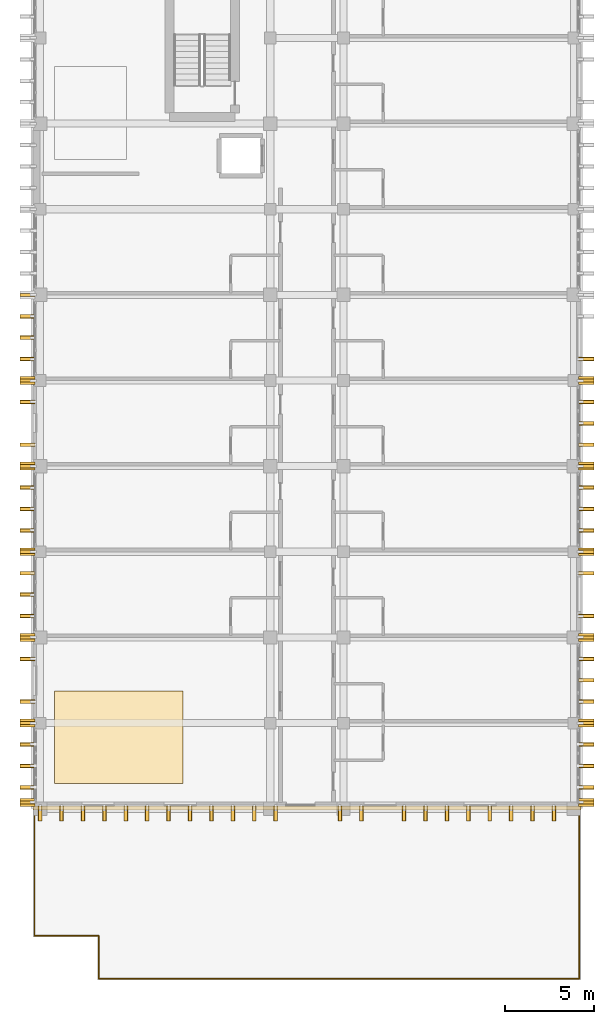
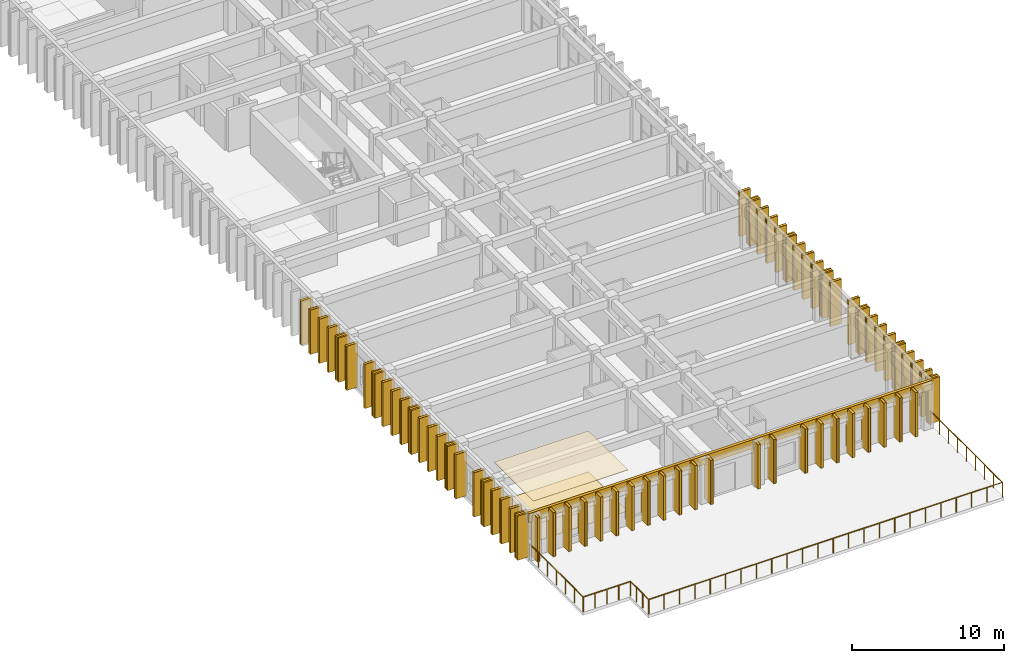
# One storey, part 58 of 64: 68 coverings, 66 shading devices, 1 railing.
"""IFC4 building model written with IfcOpenShell, lengths in metres."""

from ifc_helpers import new_model, si_unit, direction, frame, origin, origin_2d, place, context, subcontext, project, spatial, polyline, rectangle, circle, outline, extrude, material, layer, layer_set, type_object, element, save


model = new_model("IFC4")

# Units and contexts
model_context = context("Model", 3, precision=1e-05, world=origin(), true_north=direction((0.0, 1.0)))
body_context = subcontext(model_context, "Body", "Model", "MODEL_VIEW")
ifc_project = project(units=[si_unit("LENGTHUNIT", "METRE"), si_unit("AREAUNIT", "SQUARE_METRE"), si_unit("VOLUMEUNIT", "CUBIC_METRE"), si_unit("PLANEANGLEUNIT", "RADIAN"), si_unit("MASSUNIT", "GRAM", prefix="KILO")], contexts=[model_context])

# Site, building, storey
site_placement = place(None, origin())
site = spatial("IfcSite", under=ifc_project, at=site_placement, CompositionType="ELEMENT")
building_placement = place(site_placement, origin())
building = spatial("IfcBuilding", under=site, at=building_placement, Name="Nakhvara Creek Congress Hotel", CompositionType="ELEMENT")
storey_placement = place(building_placement, frame((0.0, 0.0, 28.199951171875)))
storey = spatial("IfcBuildingStorey", under=building, at=storey_placement, Name="L06", CompositionType="ELEMENT", Elevation=28.199951171875)

# Coverings
ifc_material_1 = material(Name="Acoustic mineral-fibre and gypsum ceiling board")
ifc_layer_1 = layer(ifc_material_1, 0.0400390625)
ifc_layer_set_1 = layer_set([ifc_layer_1], Name="Acoustic mineral-fibre and gypsum ceiling board")
covering_type_1 = type_object("IfcCoveringType", Name="COV-CEIL-AC", PredefinedType="CEILING", material=ifc_layer_set_1)
covering_1_placement = place(storey_placement, frame((0.0, 0.0, 3.304931640625)))
element("IfcCovering", 1, at=covering_1_placement, inside=storey, type_object=covering_type_1, Name="Acoustic Ceiling L06-LNG-01", PredefinedType="CEILING", context=body_context, shape_type="SweptSolid", body=[
    extrude(outline(polyline([(150.25, 39.800048828125), (157.449951171875, 39.800048828125), (157.449951171875, 45.0), (150.25, 45.0), (150.25, 39.800048828125)])), origin(), (0.0, 0.0, 1.0), 0.03515625),
])
ifc_material_2 = material(Name="Honed pale Omani limestone architectural cladding", Category="masonry")
ifc_layer_2 = layer(ifc_material_2, 0.219970703125)
ifc_layer_set_2 = layer_set([ifc_layer_2], Name="Honed pale Omani limestone architectural cladding")
covering_type_2 = type_object("IfcCoveringType", Name="COV-FIN-850", PredefinedType="CLADDING", material=ifc_layer_set_2)
for number, where, z_axis, x_axis, name in (
    (2, (180.054931640625, 38.75, 0.0), (0.0, 0.0, 1.0), (0.0, 1.0, 0.0), "Pale Limestone Fin Cladding CF01-1620"),
    (3, (148.7451171875, 38.75, 0.0), (0.0, 0.0, 1.0), (0.0, 1.0, 0.0), "Pale Limestone Fin Cladding CF01-1621"),
):
    element("IfcCovering", number, at=place(storey_placement, frame(where, z_axis=z_axis, x_axis=x_axis)), inside=storey, type_object=covering_type_2, Name=name, PredefinedType="CLADDING", context=body_context, shape_type="SweptSolid", body=[
        extrude(rectangle(XDim=0.43994140625, YDim=0.85009765625, at=origin_2d()), origin(), (0.0, 0.0, 1.0), 3.56005859375),
    ])
for number, where, z_axis, x_axis, name in (
    (4, (180.054931640625, 39.60009765625, 0.0), (0.0, 0.0, 1.0), (0.0, 1.0, 0.0), "Pale Limestone Fin Cladding CF01-1622"),
    (5, (148.7451171875, 39.60009765625, 0.0), (0.0, 0.0, 1.0), (0.0, 1.0, 0.0), "Pale Limestone Fin Cladding CF01-1623"),
    (6, (180.054931640625, 40.800048828125, 0.0), (0.0, 0.0, 1.0), (0.0, 1.0, 0.0), "Pale Limestone Fin Cladding CF01-1624"),
    (7, (148.7451171875, 40.800048828125, 0.0), (0.0, 0.0, 1.0), (0.0, 1.0, 0.0), "Pale Limestone Fin Cladding CF01-1625"),
    (8, (180.054931640625, 42.0, 0.0), (0.0, 0.0, 1.0), (0.0, 1.0, 0.0), "Pale Limestone Fin Cladding CF01-1626"),
    (9, (148.7451171875, 42.0, 0.0), (0.0, 0.0, 1.0), (0.0, 1.0, 0.0), "Pale Limestone Fin Cladding CF01-1627"),
):
    element("IfcCovering", number, at=place(storey_placement, frame(where, z_axis=z_axis, x_axis=x_axis)), inside=storey, type_object=covering_type_2, Name=name, PredefinedType="CLADDING", context=body_context, shape_type="SweptSolid", body=[
        extrude(rectangle(XDim=0.219970703125, YDim=0.85009765625, at=origin_2d()), origin(), (0.0, 0.0, 1.0), 3.56005859375),
    ])
for number, where, z_axis, x_axis, name in (
    (10, (180.054931640625, 43.199951171875, 0.0), (0.0, 0.0, 1.0), (0.0, 1.0, 0.0), "Pale Limestone Fin Cladding CF01-1628"),
    (11, (148.7451171875, 43.199951171875, 0.0), (0.0, 0.0, 1.0), (0.0, 1.0, 0.0), "Pale Limestone Fin Cladding CF01-1629"),
):
    element("IfcCovering", number, at=place(storey_placement, frame(where, z_axis=z_axis, x_axis=x_axis)), inside=storey, type_object=covering_type_2, Name=name, PredefinedType="CLADDING", context=body_context, shape_type="SweptSolid", body=[
        extrude(rectangle(XDim=0.43994140625, YDim=0.85009765625, at=origin_2d()), origin(), (0.0, 0.0, 1.0), 3.56005859375),
    ])
for number, where, z_axis, x_axis, name in (
    (12, (180.054931640625, 44.39990234375, 0.0), (0.0, 0.0, 1.0), (0.0, 1.0, 0.0), "Pale Limestone Fin Cladding CF01-1630"),
    (13, (148.7451171875, 44.39990234375, 0.0), (0.0, 0.0, 1.0), (0.0, 1.0, 0.0), "Pale Limestone Fin Cladding CF01-1631"),
    (14, (180.054931640625, 45.60009765625, 0.0), (0.0, 0.0, 1.0), (0.0, 1.0, 0.0), "Pale Limestone Fin Cladding CF01-1632"),
    (15, (180.054931640625, 46.800048828125, 0.0), (0.0, 0.0, 1.0), (0.0, 1.0, 0.0), "Pale Limestone Fin Cladding CF01-1633"),
    (16, (148.7451171875, 46.800048828125, 0.0), (0.0, 0.0, 1.0), (0.0, 1.0, 0.0), "Pale Limestone Fin Cladding CF01-1634"),
):
    element("IfcCovering", number, at=place(storey_placement, frame(where, z_axis=z_axis, x_axis=x_axis)), inside=storey, type_object=covering_type_2, Name=name, PredefinedType="CLADDING", context=body_context, shape_type="SweptSolid", body=[
        extrude(rectangle(XDim=0.219970703125, YDim=0.85009765625, at=origin_2d()), origin(), (0.0, 0.0, 1.0), 3.56005859375),
    ])
for number, where, z_axis, x_axis, name in (
    (17, (180.054931640625, 48.0, 0.0), (0.0, 0.0, 1.0), (0.0, 1.0, 0.0), "Pale Limestone Fin Cladding CF01-1635"),
    (18, (148.7451171875, 48.0, 0.0), (0.0, 0.0, 1.0), (0.0, 1.0, 0.0), "Pale Limestone Fin Cladding CF01-1636"),
):
    element("IfcCovering", number, at=place(storey_placement, frame(where, z_axis=z_axis, x_axis=x_axis)), inside=storey, type_object=covering_type_2, Name=name, PredefinedType="CLADDING", context=body_context, shape_type="SweptSolid", body=[
        extrude(rectangle(XDim=0.43994140625, YDim=0.85009765625, at=origin_2d()), origin(), (0.0, 0.0, 1.0), 3.56005859375),
    ])
for number, where, z_axis, x_axis, name in (
    (19, (180.054931640625, 49.199951171875, 0.0), (0.0, 0.0, 1.0), (0.0, 1.0, 0.0), "Pale Limestone Fin Cladding CF01-1637"),
    (20, (148.7451171875, 49.199951171875, 0.0), (0.0, 0.0, 1.0), (0.0, 1.0, 0.0), "Pale Limestone Fin Cladding CF01-1638"),
    (21, (148.7451171875, 50.39990234375, 0.0), (0.0, 0.0, 1.0), (0.0, 1.0, 0.0), "Pale Limestone Fin Cladding CF01-1639"),
    (22, (180.054931640625, 51.60009765625, 0.0), (0.0, 0.0, 1.0), (0.0, 1.0, 0.0), "Pale Limestone Fin Cladding CF01-1640"),
    (23, (148.7451171875, 51.60009765625, 0.0), (0.0, 0.0, 1.0), (0.0, 1.0, 0.0), "Pale Limestone Fin Cladding CF01-1641"),
):
    element("IfcCovering", number, at=place(storey_placement, frame(where, z_axis=z_axis, x_axis=x_axis)), inside=storey, type_object=covering_type_2, Name=name, PredefinedType="CLADDING", context=body_context, shape_type="SweptSolid", body=[
        extrude(rectangle(XDim=0.219970703125, YDim=0.85009765625, at=origin_2d()), origin(), (0.0, 0.0, 1.0), 3.56005859375),
    ])
for number, where, z_axis, x_axis, name in (
    (24, (180.054931640625, 52.800048828125, 0.0), (0.0, 0.0, 1.0), (0.0, 1.0, 0.0), "Pale Limestone Fin Cladding CF01-1642"),
    (25, (148.7451171875, 52.800048828125, 0.0), (0.0, 0.0, 1.0), (0.0, 1.0, 0.0), "Pale Limestone Fin Cladding CF01-1643"),
):
    element("IfcCovering", number, at=place(storey_placement, frame(where, z_axis=z_axis, x_axis=x_axis)), inside=storey, type_object=covering_type_2, Name=name, PredefinedType="CLADDING", context=body_context, shape_type="SweptSolid", body=[
        extrude(rectangle(XDim=0.43994140625, YDim=0.85009765625, at=origin_2d()), origin(), (0.0, 0.0, 1.0), 3.56005859375),
    ])
for number, where, z_axis, x_axis, name in (
    (26, (180.054931640625, 54.0, 0.0), (0.0, 0.0, 1.0), (0.0, 1.0, 0.0), "Pale Limestone Fin Cladding CF01-1644"),
    (27, (148.7451171875, 54.0, 0.0), (0.0, 0.0, 1.0), (0.0, 1.0, 0.0), "Pale Limestone Fin Cladding CF01-1645"),
    (28, (180.054931640625, 55.199951171875, 0.0), (0.0, 0.0, 1.0), (0.0, 1.0, 0.0), "Pale Limestone Fin Cladding CF01-1646"),
    (29, (148.7451171875, 55.199951171875, 0.0), (0.0, 0.0, 1.0), (0.0, 1.0, 0.0), "Pale Limestone Fin Cladding CF01-1647"),
    (30, (180.054931640625, 56.39990234375, 0.0), (0.0, 0.0, 1.0), (0.0, 1.0, 0.0), "Pale Limestone Fin Cladding CF01-1648"),
    (31, (148.7451171875, 56.39990234375, 0.0), (0.0, 0.0, 1.0), (0.0, 1.0, 0.0), "Pale Limestone Fin Cladding CF01-1649"),
):
    element("IfcCovering", number, at=place(storey_placement, frame(where, z_axis=z_axis, x_axis=x_axis)), inside=storey, type_object=covering_type_2, Name=name, PredefinedType="CLADDING", context=body_context, shape_type="SweptSolid", body=[
        extrude(rectangle(XDim=0.219970703125, YDim=0.85009765625, at=origin_2d()), origin(), (0.0, 0.0, 1.0), 3.56005859375),
    ])
for number, where, z_axis, x_axis, name in (
    (32, (180.054931640625, 57.60009765625, 0.0), (0.0, 0.0, 1.0), (0.0, 1.0, 0.0), "Pale Limestone Fin Cladding CF01-1650"),
    (33, (148.7451171875, 57.60009765625, 0.0), (0.0, 0.0, 1.0), (0.0, 1.0, 0.0), "Pale Limestone Fin Cladding CF01-1651"),
):
    element("IfcCovering", number, at=place(storey_placement, frame(where, z_axis=z_axis, x_axis=x_axis)), inside=storey, type_object=covering_type_2, Name=name, PredefinedType="CLADDING", context=body_context, shape_type="SweptSolid", body=[
        extrude(rectangle(XDim=0.43994140625, YDim=0.85009765625, at=origin_2d()), origin(), (0.0, 0.0, 1.0), 3.56005859375),
    ])
for number, where, z_axis, x_axis, name in (
    (34, (180.054931640625, 58.800048828125, 0.0), (0.0, 0.0, 1.0), (0.0, 1.0, 0.0), "Pale Limestone Fin Cladding CF01-1652"),
    (35, (148.7451171875, 58.800048828125, 0.0), (0.0, 0.0, 1.0), (0.0, 1.0, 0.0), "Pale Limestone Fin Cladding CF01-1653"),
    (36, (180.054931640625, 60.0, 0.0), (0.0, 0.0, 1.0), (0.0, 1.0, 0.0), "Pale Limestone Fin Cladding CF01-1654"),
    (37, (180.054931640625, 61.199951171875, 0.0), (0.0, 0.0, 1.0), (0.0, 1.0, 0.0), "Pale Limestone Fin Cladding CF01-1655"),
    (38, (148.7451171875, 61.199951171875, 0.0), (0.0, 0.0, 1.0), (0.0, 1.0, 0.0), "Pale Limestone Fin Cladding CF01-1656"),
):
    element("IfcCovering", number, at=place(storey_placement, frame(where, z_axis=z_axis, x_axis=x_axis)), inside=storey, type_object=covering_type_2, Name=name, PredefinedType="CLADDING", context=body_context, shape_type="SweptSolid", body=[
        extrude(rectangle(XDim=0.219970703125, YDim=0.85009765625, at=origin_2d()), origin(), (0.0, 0.0, 1.0), 3.56005859375),
    ])
for number, where, z_axis, x_axis, name in (
    (39, (180.054931640625, 62.39990234375, 0.0), (0.0, 0.0, 1.0), (0.0, 1.0, 0.0), "Pale Limestone Fin Cladding CF01-1657"),
    (40, (148.7451171875, 62.39990234375, 0.0), (0.0, 0.0, 1.0), (0.0, 1.0, 0.0), "Pale Limestone Fin Cladding CF01-1658"),
):
    element("IfcCovering", number, at=place(storey_placement, frame(where, z_axis=z_axis, x_axis=x_axis)), inside=storey, type_object=covering_type_2, Name=name, PredefinedType="CLADDING", context=body_context, shape_type="SweptSolid", body=[
        extrude(rectangle(XDim=0.43994140625, YDim=0.85009765625, at=origin_2d()), origin(), (0.0, 0.0, 1.0), 3.56005859375),
    ])
for number, where, z_axis, x_axis, name in (
    (41, (180.054931640625, 63.60009765625, 0.0), (0.0, 0.0, 1.0), (0.0, 1.0, 0.0), "Pale Limestone Fin Cladding CF01-1659"),
    (42, (148.7451171875, 63.60009765625, 0.0), (0.0, 0.0, 1.0), (0.0, 1.0, 0.0), "Pale Limestone Fin Cladding CF01-1660"),
    (43, (148.7451171875, 64.800048828125, 0.0), (0.0, 0.0, 1.0), (0.0, 1.0, 0.0), "Pale Limestone Fin Cladding CF01-1661"),
    (44, (148.7451171875, 66.0, 0.0), (0.0, 0.0, 1.0), (0.0, 1.0, 0.0), "Pale Limestone Fin Cladding CF01-1663"),
    (45, (149.449951171875, 38.135009765625, 0.0), (0.0, 0.0, 1.0), (1.0, 0.0, 0.0), "Pale Limestone Fin Cladding CF01-1761"),
    (46, (150.64990234375, 38.135009765625, 0.0), (0.0, 0.0, 1.0), (1.0, 0.0, 0.0), "Pale Limestone Fin Cladding CF01-1763"),
    (47, (151.85009765625, 38.135009765625, 0.0), (0.0, 0.0, 1.0), (1.0, 0.0, 0.0), "Pale Limestone Fin Cladding CF01-1765"),
    (48, (153.050048828125, 38.135009765625, 0.0), (0.0, 0.0, 1.0), (1.0, 0.0, 0.0), "Pale Limestone Fin Cladding CF01-1767"),
    (49, (154.25, 38.135009765625, 0.0), (0.0, 0.0, 1.0), (1.0, 0.0, 0.0), "Pale Limestone Fin Cladding CF01-1768"),
    (50, (155.449951171875, 38.135009765625, 0.0), (0.0, 0.0, 1.0), (1.0, 0.0, 0.0), "Pale Limestone Fin Cladding CF01-1770"),
    (51, (156.64990234375, 38.135009765625, 0.0), (0.0, 0.0, 1.0), (1.0, 0.0, 0.0), "Pale Limestone Fin Cladding CF01-1772"),
    (52, (157.85009765625, 38.135009765625, 0.0), (0.0, 0.0, 1.0), (1.0, 0.0, 0.0), "Pale Limestone Fin Cladding CF01-1774"),
    (53, (159.050048828125, 38.135009765625, 0.0), (0.0, 0.0, 1.0), (1.0, 0.0, 0.0), "Pale Limestone Fin Cladding CF01-1776"),
    (54, (160.25, 38.135009765625, 0.0), (0.0, 0.0, 1.0), (1.0, 0.0, 0.0), "Pale Limestone Fin Cladding CF01-1778"),
    (55, (161.449951171875, 38.135009765625, 0.0), (0.0, 0.0, 1.0), (1.0, 0.0, 0.0), "Pale Limestone Fin Cladding CF01-1780"),
    (56, (162.64990234375, 38.135009765625, 0.0), (0.0, 0.0, 1.0), (1.0, 0.0, 0.0), "Pale Limestone Fin Cladding CF01-1782"),
    (57, (166.25, 38.135009765625, 0.0), (0.0, 0.0, 1.0), (1.0, 0.0, 0.0), "Pale Limestone Fin Cladding CF01-1786"),
    (58, (167.449951171875, 38.135009765625, 0.0), (0.0, 0.0, 1.0), (1.0, 0.0, 0.0), "Pale Limestone Fin Cladding CF01-1788"),
    (59, (169.85009765625, 38.135009765625, 0.0), (0.0, 0.0, 1.0), (1.0, 0.0, 0.0), "Pale Limestone Fin Cladding CF01-1791"),
    (60, (171.050048828125, 38.135009765625, 0.0), (0.0, 0.0, 1.0), (1.0, 0.0, 0.0), "Pale Limestone Fin Cladding CF01-1793"),
    (61, (172.25, 38.135009765625, 0.0), (0.0, 0.0, 1.0), (1.0, 0.0, 0.0), "Pale Limestone Fin Cladding CF01-1795"),
    (62, (173.449951171875, 38.135009765625, 0.0), (0.0, 0.0, 1.0), (1.0, 0.0, 0.0), "Pale Limestone Fin Cladding CF01-1797"),
    (63, (174.64990234375, 38.135009765625, 0.0), (0.0, 0.0, 1.0), (1.0, 0.0, 0.0), "Pale Limestone Fin Cladding CF01-1799"),
    (64, (175.85009765625, 38.135009765625, 0.0), (0.0, 0.0, 1.0), (1.0, 0.0, 0.0), "Pale Limestone Fin Cladding CF01-1800"),
    (65, (177.050048828125, 38.135009765625, 0.0), (0.0, 0.0, 1.0), (1.0, 0.0, 0.0), "Pale Limestone Fin Cladding CF01-1802"),
    (66, (178.25, 38.135009765625, 0.0), (0.0, 0.0, 1.0), (1.0, 0.0, 0.0), "Pale Limestone Fin Cladding CF01-1804"),
):
    element("IfcCovering", number, at=place(storey_placement, frame(where, z_axis=z_axis, x_axis=x_axis)), inside=storey, type_object=covering_type_2, Name=name, PredefinedType="CLADDING", context=body_context, shape_type="SweptSolid", body=[
        extrude(rectangle(XDim=0.219970703125, YDim=0.85009765625, at=origin_2d()), origin(), (0.0, 0.0, 1.0), 3.56005859375),
    ])
ifc_material_3 = material(Name="Honed limestone and terrazzo acoustic floor finish", Category="masonry")
ifc_layer_3 = layer(ifc_material_3, 0.044921875)
ifc_layer_set_3 = layer_set([ifc_layer_3], Name="Honed limestone and terrazzo acoustic floor finish")
covering_type_3 = type_object("IfcCoveringType", Name="COV-FLR-TER", PredefinedType="FLOORING", material=ifc_layer_set_3)
covering_2_placement = place(storey_placement, origin())
element("IfcCovering", 67, at=covering_2_placement, inside=storey, type_object=covering_type_3, Name="Floor Finish L06-LNG-01", PredefinedType="FLOORING", context=body_context, shape_type="SweptSolid", body=[
    extrude(outline(polyline([(150.25, 39.800048828125), (157.449951171875, 39.800048828125), (157.449951171875, 45.0), (150.25, 45.0), (150.25, 39.800048828125)])), origin(), (0.0, 0.0, 1.0), 0.030029296875),
])
ifc_layer_4 = layer(ifc_material_2, 0.179931640625)
ifc_layer_set_4 = layer_set([ifc_layer_4], Name="Honed pale Omani limestone architectural cladding")
covering_type_4 = type_object("IfcCoveringType", Name="COV-SPN-180", PredefinedType="CLADDING", material=ifc_layer_set_4)
covering_3_placement = place(storey_placement, frame((164.39990234375, 38.429931640625, 2.91015625), z_axis=(0.0, 0.0, 1.0), x_axis=(1.0, 0.0, 0.0)))
element("IfcCovering", 68, at=covering_3_placement, inside=storey, type_object=covering_type_4, Name="Pale Limestone Spandrel Band CF02-0068", PredefinedType="CLADDING", context=body_context, shape_type="SweptSolid", body=[
    extrude(rectangle(XDim=30.699951171875, YDim=0.219970703125, at=origin_2d()), origin(), (0.0, 0.0, 1.0), 0.72998046875),
])

# Railing
ifc_material_4 = material(Name="Bronze-anodised aluminium and laminated safety glass balustrade", Category="aluminium")
railing_type = type_object("IfcRailingType", Name="RL-BALUS-1200", PredefinedType="BALUSTRADE", material=ifc_material_4)
railing_placement = place(storey_placement, frame((149.1298828125, 38.360107421875, 0.0)))
element("IfcRailing", 69, at=railing_placement, inside=storey, type_object=railing_type, Name="Terrace Balustrade GR02-L06-004", PredefinedType="BALUSTRADE", context=body_context, shape_type="SweptSolid", body=[
    extrude(circle(Radius=0.02392578125, at=origin_2d()), frame((0.0, -0.0146484375, 1.17578125), z_axis=(0.0, -1.0, 0.0), x_axis=(1.0, 0.0, 0.0)), (0.0, 0.0, 1.0), 7.05078125),
    extrude(circle(Radius=0.02392578125, at=origin_2d()), frame((0.0146484375, -7.080078125, 1.17578125), z_axis=(1.0, 0.0, 0.0), x_axis=(0.0, 1.0, 0.0)), (0.0, 0.0, 1.0), 3.57080078125),
    extrude(circle(Radius=0.02392578125, at=origin_2d()), frame((3.60009765625, -7.0947265625, 1.17578125), z_axis=(0.0, -1.0, 0.0), x_axis=(1.0, 0.0, 0.0)), (0.0, 0.0, 1.0), 2.370849609375),
    extrude(circle(Radius=0.02392578125, at=origin_2d()), frame((3.61474609375, -9.480224609375, 1.17578125), z_axis=(1.0, 0.0, 0.0), x_axis=(0.0, 1.0, 0.0)), (0.0, 0.0, 1.0), 26.91064453125),
    extrude(circle(Radius=0.02392578125, at=origin_2d()), frame((30.5400390625, -9.465576171875, 1.17578125), z_axis=(0.0, 1.0, 0.0), x_axis=(-1.0, 0.0, 0.0)), (0.0, 0.0, 1.0), 9.450927734375),
    extrude(circle(Radius=0.02099609375, at=origin_2d()), origin(), (0.0, 0.0, 1.0), 1.1806640625),
    extrude(circle(Radius=0.02099609375, at=origin_2d()), frame((0.0, -1.179931640625, 0.0)), (0.0, 0.0, 1.0), 1.1806640625),
    extrude(circle(Radius=0.02099609375, at=origin_2d()), frame((0.0, -2.360107421875, 0.0)), (0.0, 0.0, 1.0), 1.1806640625),
    extrude(circle(Radius=0.02099609375, at=origin_2d()), frame((0.0, -3.5400390625, 0.0)), (0.0, 0.0, 1.0), 1.1806640625),
    extrude(circle(Radius=0.02099609375, at=origin_2d()), frame((0.0, -4.719970703125, 0.0)), (0.0, 0.0, 1.0), 1.1806640625),
    extrude(circle(Radius=0.02099609375, at=origin_2d()), frame((0.0, -5.900146484375, 0.0)), (0.0, 0.0, 1.0), 1.1806640625),
    extrude(circle(Radius=0.02099609375, at=origin_2d()), frame((0.0, -7.080078125, 0.0)), (0.0, 0.0, 1.0), 1.1806640625),
    extrude(circle(Radius=0.02099609375, at=origin_2d()), frame((0.89990234375, -7.080078125, 0.0)), (0.0, 0.0, 1.0), 1.1806640625),
    extrude(circle(Radius=0.02099609375, at=origin_2d()), frame((1.800048828125, -7.080078125, 0.0)), (0.0, 0.0, 1.0), 1.1806640625),
    extrude(circle(Radius=0.02099609375, at=origin_2d()), frame((2.7001953125, -7.080078125, 0.0)), (0.0, 0.0, 1.0), 1.1806640625),
    extrude(circle(Radius=0.02099609375, at=origin_2d()), frame((3.60009765625, -7.080078125, 0.0)), (0.0, 0.0, 1.0), 1.1806640625),
    extrude(circle(Radius=0.02099609375, at=origin_2d()), frame((3.60009765625, -7.880126953125, 0.0)), (0.0, 0.0, 1.0), 1.1806640625),
    extrude(circle(Radius=0.02099609375, at=origin_2d()), frame((3.60009765625, -8.68017578125, 0.0)), (0.0, 0.0, 1.0), 1.1806640625),
    extrude(circle(Radius=0.02099609375, at=origin_2d()), frame((3.60009765625, -9.480224609375, 0.0)), (0.0, 0.0, 1.0), 1.1806640625),
    extrude(circle(Radius=0.02099609375, at=origin_2d()), frame((4.771484375, -9.480224609375, 0.0)), (0.0, 0.0, 1.0), 1.1806640625),
    extrude(circle(Radius=0.02099609375, at=origin_2d()), frame((5.942626953125, -9.480224609375, 0.0)), (0.0, 0.0, 1.0), 1.1806640625),
    extrude(circle(Radius=0.02099609375, at=origin_2d()), frame((7.114013671875, -9.480224609375, 0.0)), (0.0, 0.0, 1.0), 1.1806640625),
    extrude(circle(Radius=0.02099609375, at=origin_2d()), frame((8.285400390625, -9.480224609375, 0.0)), (0.0, 0.0, 1.0), 1.1806640625),
    extrude(circle(Radius=0.02099609375, at=origin_2d()), frame((9.45654296875, -9.480224609375, 0.0)), (0.0, 0.0, 1.0), 1.1806640625),
    extrude(circle(Radius=0.02099609375, at=origin_2d()), frame((10.6279296875, -9.480224609375, 0.0)), (0.0, 0.0, 1.0), 1.1806640625),
    extrude(circle(Radius=0.02099609375, at=origin_2d()), frame((11.79931640625, -9.480224609375, 0.0)), (0.0, 0.0, 1.0), 1.1806640625),
    extrude(circle(Radius=0.02099609375, at=origin_2d()), frame((12.970458984375, -9.480224609375, 0.0)), (0.0, 0.0, 1.0), 1.1806640625),
    extrude(circle(Radius=0.02099609375, at=origin_2d()), frame((14.141845703125, -9.480224609375, 0.0)), (0.0, 0.0, 1.0), 1.1806640625),
    extrude(circle(Radius=0.02099609375, at=origin_2d()), frame((15.313232421875, -9.480224609375, 0.0)), (0.0, 0.0, 1.0), 1.1806640625),
    extrude(circle(Radius=0.02099609375, at=origin_2d()), frame((16.484375, -9.480224609375, 0.0)), (0.0, 0.0, 1.0), 1.1806640625),
    extrude(circle(Radius=0.02099609375, at=origin_2d()), frame((17.65576171875, -9.480224609375, 0.0)), (0.0, 0.0, 1.0), 1.1806640625),
    extrude(circle(Radius=0.02099609375, at=origin_2d()), frame((18.826904296875, -9.480224609375, 0.0)), (0.0, 0.0, 1.0), 1.1806640625),
    extrude(circle(Radius=0.02099609375, at=origin_2d()), frame((19.998291015625, -9.480224609375, 0.0)), (0.0, 0.0, 1.0), 1.1806640625),
    extrude(circle(Radius=0.02099609375, at=origin_2d()), frame((21.169677734375, -9.480224609375, 0.0)), (0.0, 0.0, 1.0), 1.1806640625),
    extrude(circle(Radius=0.02099609375, at=origin_2d()), frame((22.3408203125, -9.480224609375, 0.0)), (0.0, 0.0, 1.0), 1.1806640625),
    extrude(circle(Radius=0.02099609375, at=origin_2d()), frame((23.51220703125, -9.480224609375, 0.0)), (0.0, 0.0, 1.0), 1.1806640625),
    extrude(circle(Radius=0.02099609375, at=origin_2d()), frame((24.68359375, -9.480224609375, 0.0)), (0.0, 0.0, 1.0), 1.1806640625),
    extrude(circle(Radius=0.02099609375, at=origin_2d()), frame((25.854736328125, -9.480224609375, 0.0)), (0.0, 0.0, 1.0), 1.1806640625),
    extrude(circle(Radius=0.02099609375, at=origin_2d()), frame((27.026123046875, -9.480224609375, 0.0)), (0.0, 0.0, 1.0), 1.1806640625),
    extrude(circle(Radius=0.02099609375, at=origin_2d()), frame((28.197509765625, -9.480224609375, 0.0)), (0.0, 0.0, 1.0), 1.1806640625),
    extrude(circle(Radius=0.02099609375, at=origin_2d()), frame((29.36865234375, -9.480224609375, 0.0)), (0.0, 0.0, 1.0), 1.1806640625),
    extrude(circle(Radius=0.02099609375, at=origin_2d()), frame((30.5400390625, -9.480224609375, 0.0)), (0.0, 0.0, 1.0), 1.1806640625),
    extrude(circle(Radius=0.02099609375, at=origin_2d()), frame((30.5400390625, -8.295166015625, 0.0)), (0.0, 0.0, 1.0), 1.1806640625),
    extrude(circle(Radius=0.02099609375, at=origin_2d()), frame((30.5400390625, -7.110107421875, 0.0)), (0.0, 0.0, 1.0), 1.1806640625),
    extrude(circle(Radius=0.02099609375, at=origin_2d()), frame((30.5400390625, -5.925048828125, 0.0)), (0.0, 0.0, 1.0), 1.1806640625),
    extrude(circle(Radius=0.02099609375, at=origin_2d()), frame((30.5400390625, -4.740234375, 0.0)), (0.0, 0.0, 1.0), 1.1806640625),
    extrude(circle(Radius=0.02099609375, at=origin_2d()), frame((30.5400390625, -3.55517578125, 0.0)), (0.0, 0.0, 1.0), 1.1806640625),
    extrude(circle(Radius=0.02099609375, at=origin_2d()), frame((30.5400390625, -2.3701171875, 0.0)), (0.0, 0.0, 1.0), 1.1806640625),
    extrude(circle(Radius=0.02099609375, at=origin_2d()), frame((30.5400390625, -1.18505859375, 0.0)), (0.0, 0.0, 1.0), 1.1806640625),
    extrude(circle(Radius=0.02099609375, at=origin_2d()), frame((30.5400390625, 0.0, 0.0)), (0.0, 0.0, 1.0), 1.1806640625),
])

# Shading devices
ifc_material_5 = material(Name="Honed pale Omani limestone cladding on stainless steel spine", Category="masonry")
shading_device_type = type_object("IfcShadingDeviceType", Name="SHD-FIN-850X3600", PredefinedType="USERDEFINED", material=ifc_material_5)
for number, where, z_axis, x_axis, name in (
    (70, (180.054931640625, 38.75, 0.0), (0.0, 0.0, 1.0), (0.0, 1.0, 0.0), "Limestone Solar Fin FN01-1485"),
    (71, (148.7451171875, 38.75, 0.0), (0.0, 0.0, 1.0), (0.0, 1.0, 0.0), "Limestone Solar Fin FN01-1486"),
    (72, (180.054931640625, 39.60009765625, 0.0), (0.0, 0.0, 1.0), (0.0, 1.0, 0.0), "Limestone Solar Fin FN01-1487"),
    (73, (148.7451171875, 39.60009765625, 0.0), (0.0, 0.0, 1.0), (0.0, 1.0, 0.0), "Limestone Solar Fin FN01-1488"),
    (74, (180.054931640625, 40.800048828125, 0.0), (0.0, 0.0, 1.0), (0.0, 1.0, 0.0), "Limestone Solar Fin FN01-1489"),
    (75, (148.7451171875, 40.800048828125, 0.0), (0.0, 0.0, 1.0), (0.0, 1.0, 0.0), "Limestone Solar Fin FN01-1490"),
    (76, (180.054931640625, 42.0, 0.0), (0.0, 0.0, 1.0), (0.0, 1.0, 0.0), "Limestone Solar Fin FN01-1491"),
    (77, (148.7451171875, 42.0, 0.0), (0.0, 0.0, 1.0), (0.0, 1.0, 0.0), "Limestone Solar Fin FN01-1492"),
    (78, (180.054931640625, 43.199951171875, 0.0), (0.0, 0.0, 1.0), (0.0, 1.0, 0.0), "Limestone Solar Fin FN01-1493"),
    (79, (148.7451171875, 43.199951171875, 0.0), (0.0, 0.0, 1.0), (0.0, 1.0, 0.0), "Limestone Solar Fin FN01-1494"),
    (80, (180.054931640625, 44.39990234375, 0.0), (0.0, 0.0, 1.0), (0.0, 1.0, 0.0), "Limestone Solar Fin FN01-1495"),
    (81, (148.7451171875, 44.39990234375, 0.0), (0.0, 0.0, 1.0), (0.0, 1.0, 0.0), "Limestone Solar Fin FN01-1496"),
    (82, (180.054931640625, 45.60009765625, 0.0), (0.0, 0.0, 1.0), (0.0, 1.0, 0.0), "Limestone Solar Fin FN01-1497"),
    (83, (180.054931640625, 46.800048828125, 0.0), (0.0, 0.0, 1.0), (0.0, 1.0, 0.0), "Limestone Solar Fin FN01-1498"),
    (84, (148.7451171875, 46.800048828125, 0.0), (0.0, 0.0, 1.0), (0.0, 1.0, 0.0), "Limestone Solar Fin FN01-1499"),
    (85, (180.054931640625, 48.0, 0.0), (0.0, 0.0, 1.0), (0.0, 1.0, 0.0), "Limestone Solar Fin FN01-1500"),
    (86, (148.7451171875, 48.0, 0.0), (0.0, 0.0, 1.0), (0.0, 1.0, 0.0), "Limestone Solar Fin FN01-1501"),
    (87, (180.054931640625, 49.199951171875, 0.0), (0.0, 0.0, 1.0), (0.0, 1.0, 0.0), "Limestone Solar Fin FN01-1502"),
    (88, (148.7451171875, 49.199951171875, 0.0), (0.0, 0.0, 1.0), (0.0, 1.0, 0.0), "Limestone Solar Fin FN01-1503"),
    (89, (148.7451171875, 50.39990234375, 0.0), (0.0, 0.0, 1.0), (0.0, 1.0, 0.0), "Limestone Solar Fin FN01-1504"),
    (90, (180.054931640625, 51.60009765625, 0.0), (0.0, 0.0, 1.0), (0.0, 1.0, 0.0), "Limestone Solar Fin FN01-1505"),
    (91, (148.7451171875, 51.60009765625, 0.0), (0.0, 0.0, 1.0), (0.0, 1.0, 0.0), "Limestone Solar Fin FN01-1506"),
    (92, (180.054931640625, 52.800048828125, 0.0), (0.0, 0.0, 1.0), (0.0, 1.0, 0.0), "Limestone Solar Fin FN01-1507"),
    (93, (148.7451171875, 52.800048828125, 0.0), (0.0, 0.0, 1.0), (0.0, 1.0, 0.0), "Limestone Solar Fin FN01-1508"),
    (94, (180.054931640625, 54.0, 0.0), (0.0, 0.0, 1.0), (0.0, 1.0, 0.0), "Limestone Solar Fin FN01-1509"),
    (95, (148.7451171875, 54.0, 0.0), (0.0, 0.0, 1.0), (0.0, 1.0, 0.0), "Limestone Solar Fin FN01-1510"),
    (96, (180.054931640625, 55.199951171875, 0.0), (0.0, 0.0, 1.0), (0.0, 1.0, 0.0), "Limestone Solar Fin FN01-1511"),
    (97, (148.7451171875, 55.199951171875, 0.0), (0.0, 0.0, 1.0), (0.0, 1.0, 0.0), "Limestone Solar Fin FN01-1512"),
    (98, (180.054931640625, 56.39990234375, 0.0), (0.0, 0.0, 1.0), (0.0, 1.0, 0.0), "Limestone Solar Fin FN01-1513"),
    (99, (148.7451171875, 56.39990234375, 0.0), (0.0, 0.0, 1.0), (0.0, 1.0, 0.0), "Limestone Solar Fin FN01-1514"),
    (100, (180.054931640625, 57.60009765625, 0.0), (0.0, 0.0, 1.0), (0.0, 1.0, 0.0), "Limestone Solar Fin FN01-1515"),
    (101, (148.7451171875, 57.60009765625, 0.0), (0.0, 0.0, 1.0), (0.0, 1.0, 0.0), "Limestone Solar Fin FN01-1516"),
    (102, (180.054931640625, 58.800048828125, 0.0), (0.0, 0.0, 1.0), (0.0, 1.0, 0.0), "Limestone Solar Fin FN01-1517"),
    (103, (148.7451171875, 58.800048828125, 0.0), (0.0, 0.0, 1.0), (0.0, 1.0, 0.0), "Limestone Solar Fin FN01-1518"),
    (104, (180.054931640625, 60.0, 0.0), (0.0, 0.0, 1.0), (0.0, 1.0, 0.0), "Limestone Solar Fin FN01-1519"),
    (105, (180.054931640625, 61.199951171875, 0.0), (0.0, 0.0, 1.0), (0.0, 1.0, 0.0), "Limestone Solar Fin FN01-1520"),
    (106, (148.7451171875, 61.199951171875, 0.0), (0.0, 0.0, 1.0), (0.0, 1.0, 0.0), "Limestone Solar Fin FN01-1521"),
    (107, (180.054931640625, 62.39990234375, 0.0), (0.0, 0.0, 1.0), (0.0, 1.0, 0.0), "Limestone Solar Fin FN01-1522"),
    (108, (148.7451171875, 62.39990234375, 0.0), (0.0, 0.0, 1.0), (0.0, 1.0, 0.0), "Limestone Solar Fin FN01-1523"),
    (109, (180.054931640625, 63.60009765625, 0.0), (0.0, 0.0, 1.0), (0.0, 1.0, 0.0), "Limestone Solar Fin FN01-1524"),
    (110, (148.7451171875, 63.60009765625, 0.0), (0.0, 0.0, 1.0), (0.0, 1.0, 0.0), "Limestone Solar Fin FN01-1525"),
    (111, (148.7451171875, 64.800048828125, 0.0), (0.0, 0.0, 1.0), (0.0, 1.0, 0.0), "Limestone Solar Fin FN01-1526"),
    (112, (148.7451171875, 66.0, 0.0), (0.0, 0.0, 1.0), (0.0, 1.0, 0.0), "Limestone Solar Fin FN01-1528"),
    (113, (148.7451171875, 67.199951171875, 0.0), (0.0, 0.0, 1.0), (0.0, 1.0, 0.0), "Limestone Solar Fin FN01-1530"),
    (114, (149.449951171875, 38.135009765625, 0.0), (0.0, 0.0, 1.0), (1.0, 0.0, 0.0), "Limestone Solar Fin FN01-1626"),
    (115, (150.64990234375, 38.135009765625, 0.0), (0.0, 0.0, 1.0), (1.0, 0.0, 0.0), "Limestone Solar Fin FN01-1628"),
    (116, (151.85009765625, 38.135009765625, 0.0), (0.0, 0.0, 1.0), (1.0, 0.0, 0.0), "Limestone Solar Fin FN01-1630"),
    (117, (153.050048828125, 38.135009765625, 0.0), (0.0, 0.0, 1.0), (1.0, 0.0, 0.0), "Limestone Solar Fin FN01-1632"),
    (118, (154.25, 38.135009765625, 0.0), (0.0, 0.0, 1.0), (1.0, 0.0, 0.0), "Limestone Solar Fin FN01-1633"),
    (119, (155.449951171875, 38.135009765625, 0.0), (0.0, 0.0, 1.0), (1.0, 0.0, 0.0), "Limestone Solar Fin FN01-1635"),
    (120, (156.64990234375, 38.135009765625, 0.0), (0.0, 0.0, 1.0), (1.0, 0.0, 0.0), "Limestone Solar Fin FN01-1637"),
    (121, (157.85009765625, 38.135009765625, 0.0), (0.0, 0.0, 1.0), (1.0, 0.0, 0.0), "Limestone Solar Fin FN01-1639"),
    (122, (159.050048828125, 38.135009765625, 0.0), (0.0, 0.0, 1.0), (1.0, 0.0, 0.0), "Limestone Solar Fin FN01-1641"),
    (123, (160.25, 38.135009765625, 0.0), (0.0, 0.0, 1.0), (1.0, 0.0, 0.0), "Limestone Solar Fin FN01-1643"),
    (124, (161.449951171875, 38.135009765625, 0.0), (0.0, 0.0, 1.0), (1.0, 0.0, 0.0), "Limestone Solar Fin FN01-1645"),
    (125, (162.64990234375, 38.135009765625, 0.0), (0.0, 0.0, 1.0), (1.0, 0.0, 0.0), "Limestone Solar Fin FN01-1647"),
    (126, (166.25, 38.135009765625, 0.0), (0.0, 0.0, 1.0), (1.0, 0.0, 0.0), "Limestone Solar Fin FN01-1651"),
    (127, (167.449951171875, 38.135009765625, 0.0), (0.0, 0.0, 1.0), (1.0, 0.0, 0.0), "Limestone Solar Fin FN01-1653"),
    (128, (169.85009765625, 38.135009765625, 0.0), (0.0, 0.0, 1.0), (1.0, 0.0, 0.0), "Limestone Solar Fin FN01-1656"),
    (129, (171.050048828125, 38.135009765625, 0.0), (0.0, 0.0, 1.0), (1.0, 0.0, 0.0), "Limestone Solar Fin FN01-1658"),
    (130, (172.25, 38.135009765625, 0.0), (0.0, 0.0, 1.0), (1.0, 0.0, 0.0), "Limestone Solar Fin FN01-1660"),
    (131, (173.449951171875, 38.135009765625, 0.0), (0.0, 0.0, 1.0), (1.0, 0.0, 0.0), "Limestone Solar Fin FN01-1662"),
    (132, (174.64990234375, 38.135009765625, 0.0), (0.0, 0.0, 1.0), (1.0, 0.0, 0.0), "Limestone Solar Fin FN01-1664"),
    (133, (175.85009765625, 38.135009765625, 0.0), (0.0, 0.0, 1.0), (1.0, 0.0, 0.0), "Limestone Solar Fin FN01-1665"),
    (134, (177.050048828125, 38.135009765625, 0.0), (0.0, 0.0, 1.0), (1.0, 0.0, 0.0), "Limestone Solar Fin FN01-1667"),
    (135, (178.25, 38.135009765625, 0.0), (0.0, 0.0, 1.0), (1.0, 0.0, 0.0), "Limestone Solar Fin FN01-1669"),
):
    element("IfcShadingDevice", number, at=place(storey_placement, frame(where, z_axis=z_axis, x_axis=x_axis)), inside=storey, type_object=shading_device_type, Name=name, ObjectType="FIN", PredefinedType="USERDEFINED", context=body_context, shape_type="SweptSolid", body=[
        extrude(rectangle(XDim=0.179931640625, YDim=0.85009765625, at=origin_2d()), origin(), (0.0, 0.0, 1.0), 3.56005859375),
    ])

save(model, "model.ifc")
